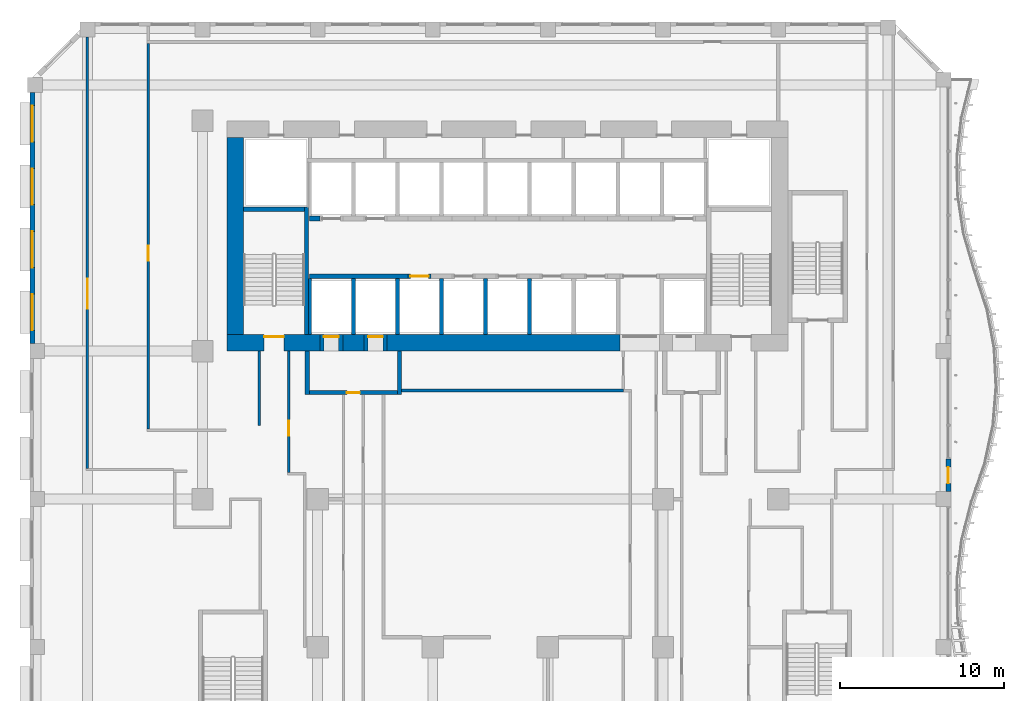
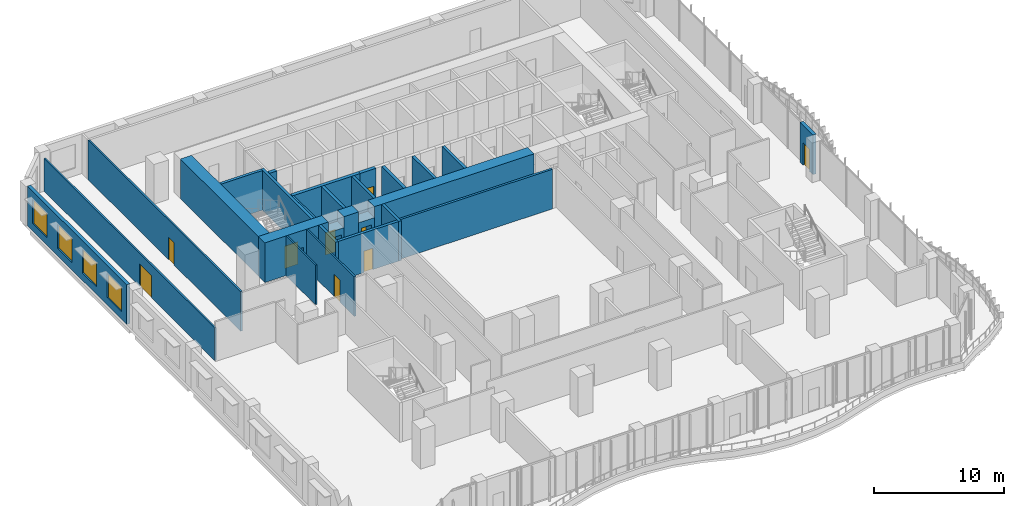
# One storey, part 12 of 27: 27 walls, 9 doors, 4 windows, 13 openings.
"""IFC4 building model written with IfcOpenShell, lengths in metres."""

from ifc_helpers import new_model, si_unit, direction, frame, frame_2d, origin, place, context, subcontext, project, spatial, rectangle, extrude, source, transform, mapped, material, layer, layer_set, type_object, element, fill, save


model = new_model("IFC4")

# Units and contexts
model_context = context("Model", 3, precision=1e-05, world=origin(), true_north=direction((0.0, 1.0)))
body_context = subcontext(model_context, "Body", "Model", "MODEL_VIEW")
ifc_project = project(units=[si_unit("LENGTHUNIT", "METRE"), si_unit("AREAUNIT", "SQUARE_METRE"), si_unit("VOLUMEUNIT", "CUBIC_METRE"), si_unit("PLANEANGLEUNIT", "RADIAN"), si_unit("MASSUNIT", "GRAM", prefix="KILO")], contexts=[model_context])

# Site, building, storey
site_placement = place(None, origin())
site = spatial("IfcSite", under=ifc_project, at=site_placement, CompositionType="ELEMENT")
building_placement = place(site_placement, origin())
building = spatial("IfcBuilding", under=site, at=building_placement, Name="Kilnfold Tower and Market Hall", CompositionType="ELEMENT")
storey_placement = place(building_placement, frame((0.0, 0.0, 47.0)))
storey = spatial("IfcBuildingStorey", under=building, at=storey_placement, Name="L10", CompositionType="ELEMENT", Elevation=47.0)

# Wall, opening, door
ifc_material_1 = material(Name="Gypsum board on steel studs", Category="steel")
ifc_layer_1 = layer(ifc_material_1, 0.14990234375)
ifc_layer_set_1 = layer_set([ifc_layer_1], Name="Gypsum board on steel studs")
wall_type_1 = type_object("IfcWallType", Name="WALL CORRIDOR 150", PredefinedType="PARTITIONING", material=ifc_layer_set_1)
wall_1_placement = place(storey_placement, frame((-20.800048828125, 3.27490234375, 0.0), z_axis=(0.0, 0.0, 1.0), x_axis=(0.0, 1.0, 0.0)))
wall_1 = element("IfcWall", 1, at=wall_1_placement, inside=storey, type_object=wall_type_1, Name="Partition LY09.1", PredefinedType="PARTITIONING", context=body_context, shape_type="SweptSolid", body=[
    extrude(rectangle(XDim=23.43505859375, YDim=0.14990234375, at=frame_2d((11.717529296875, 0.0))), origin(), (0.0, 0.0, 1.0), 3.719970703125),
])
opening_1_placement = place(wall_1_placement, frame((10.216064453125, 0.0, 0.0)))
opening_1 = element("IfcOpeningElement", 2, at=opening_1_placement, cuts=wall_1, Name="Opening D3", PredefinedType="OPENING", context=body_context, shape_type="SweptSolid", body=[
    extrude(rectangle(XDim=0.89990234375, YDim=2.10009765625, at=frame_2d((0.449951171875, 1.050048828125))), frame((0.0, 0.0849609375, 0.0), z_axis=(0.0, -1.0, 0.0), x_axis=(1.0, 0.0, 0.0)), (0.0, 0.0, 1.0), 0.169921875),
])
ifc_material_2 = material(Name="Timber veneer door leaf in steel frame", Category="steel")
door_type_1 = type_object("IfcDoorType", Name="DOOR WC 900 X2100", OperationType="NOTDEFINED", PredefinedType="DOOR", material=ifc_material_2)
door_1_placement = place(opening_1_placement, origin())
door_1 = element("IfcDoor", 3, at=door_1_placement, inside=storey, type_object=door_type_1, Name="Door D3", OperationType="SINGLE_SWING_LEFT", OverallHeight=2.10009765625, OverallWidth=0.89990234375, PredefinedType="DOOR", context=body_context, shape_type="SweptSolid", body=[
    extrude(rectangle(XDim=0.89990234375, YDim=2.10009765625, at=frame_2d((0.449951171875, 1.050048828125))), frame((0.0, 0.02490234375, 0.0), z_axis=(0.0, -1.0, 0.0), x_axis=(1.0, 0.0, 0.0)), (0.0, 0.0, 1.0), 0.050048828125),
])
fill(opening_1, door_1)

# Wall
wall_2_placement = place(storey_placement, frame((-14.050048828125, 8.0, 0.0), z_axis=(0.0, 0.0, 1.0), x_axis=(0.0, -1.0, 0.0)))
element("IfcWall", 4, at=wall_2_placement, inside=storey, type_object=wall_type_1, Name="Partition LY09.3", PredefinedType="PARTITIONING", context=body_context, shape_type="SweptSolid", body=[
    extrude(rectangle(XDim=4.510009765625, YDim=0.14990234375, at=frame_2d((2.2548828125, 0.0))), origin(), (0.0, 0.0, 1.0), 3.719970703125),
])

# Wall, opening, door
wall_3_placement = place(storey_placement, frame((-12.25, 0.625, 0.0), z_axis=(0.0, 0.0, 1.0), x_axis=(0.0, 1.0, 0.0)))
wall_3 = element("IfcWall", 5, at=wall_3_placement, inside=storey, type_object=wall_type_1, Name="Partition LY09.4", PredefinedType="PARTITIONING", context=body_context, shape_type="SweptSolid", body=[
    extrude(rectangle(XDim=7.375, YDim=0.14990234375, at=frame_2d((3.6875, 0.0))), origin(), (0.0, 0.0, 1.0), 3.719970703125),
])
opening_2_placement = place(wall_3_placement, frame((2.22509765625, 0.0, 0.0)))
opening_2 = element("IfcOpeningElement", 6, at=opening_2_placement, cuts=wall_3, Name="Opening D3", PredefinedType="OPENING", context=body_context, shape_type="SweptSolid", body=[
    extrude(rectangle(XDim=0.89990234375, YDim=2.10009765625, at=frame_2d((0.449951171875, 1.050048828125))), frame((0.0, 0.0849609375, 0.0), z_axis=(0.0, -1.0, 0.0), x_axis=(1.0, 0.0, 0.0)), (0.0, 0.0, 1.0), 0.169921875),
])
door_2_placement = place(opening_2_placement, origin())
door_2 = element("IfcDoor", 7, at=door_2_placement, inside=storey, type_object=door_type_1, Name="Door D3", OperationType="SINGLE_SWING_LEFT", OverallHeight=2.10009765625, OverallWidth=0.89990234375, PredefinedType="DOOR", context=body_context, shape_type="SweptSolid", body=[
    extrude(rectangle(XDim=0.89990234375, YDim=2.10009765625, at=frame_2d((0.449951171875, 1.050048828125))), frame((0.0, 0.02490234375, 0.0), z_axis=(0.0, -1.0, 0.0), x_axis=(1.0, 0.0, 0.0)), (0.0, 0.0, 1.0), 0.050048828125),
])
fill(opening_2, door_2)

wall_4_placement = place(storey_placement, frame((-24.5, 27.10009765625, 0.0), z_axis=(0.0, 0.0, 1.0), x_axis=(0.0, -1.0, 0.0)))
wall_4 = element("IfcWall", 8, at=wall_4_placement, inside=storey, type_object=wall_type_1, Name="Partition LY09.39", PredefinedType="PARTITIONING", context=body_context, shape_type="SweptSolid", body=[
    extrude(rectangle(XDim=26.22509765625, YDim=0.14990234375, at=frame_2d((13.112548828125, 0.0))), origin(), (0.0, 0.0, 1.0), 3.070068359375),
])
opening_3_placement = place(wall_4_placement, frame((14.715087890625, 0.0, 0.0)))
opening_3 = element("IfcOpeningElement", 9, at=opening_3_placement, cuts=wall_4, Name="Opening D5", PredefinedType="OPENING", context=body_context, shape_type="SweptSolid", body=[
    extrude(rectangle(XDim=1.800048828125, YDim=2.10009765625, at=frame_2d((0.89990234375, 1.050048828125))), frame((0.0, 0.0849609375, 0.0), z_axis=(0.0, -1.0, 0.0), x_axis=(1.0, 0.0, 0.0)), (0.0, 0.0, 1.0), 0.169921875),
])
ifc_material_3 = material(Name="Timber veneer door leaf in steel frame", Category="steel")
door_type_2 = type_object("IfcDoorType", Name="DOOR DOUBLE 1800 X2100", OperationType="NOTDEFINED", PredefinedType="DOOR", material=ifc_material_3)
door_3_placement = place(opening_3_placement, origin())
door_3 = element("IfcDoor", 10, at=door_3_placement, inside=storey, type_object=door_type_2, Name="Door D5", OperationType="DOUBLE_DOOR_SINGLE_SWING", OverallHeight=2.10009765625, OverallWidth=1.800048828125, PredefinedType="DOOR", context=body_context, shape_type="SweptSolid", body=[
    extrude(rectangle(XDim=1.800048828125, YDim=2.10009765625, at=frame_2d((0.89990234375, 1.050048828125))), frame((0.0, 0.02490234375, 0.0), z_axis=(0.0, -1.0, 0.0), x_axis=(1.0, 0.0, 0.0)), (0.0, 0.0, 1.0), 0.050048828125),
])
fill(opening_3, door_3)

# Wall
ifc_material_4 = material(Name="Gypsum board on steel studs", Category="steel")
ifc_layer_2 = layer(ifc_material_4, 0.199951171875)
ifc_layer_set_2 = layer_set([ifc_layer_2], Name="Gypsum board on steel studs")
wall_type_2 = type_object("IfcWallType", Name="WALL PARTY 200", PredefinedType="PARTITIONING", material=ifc_layer_set_2)
wall_5_placement = place(storey_placement, frame((-5.39990234375, 5.60009765625, 0.0), z_axis=(0.0, 0.0, 1.0), x_axis=(1.0, 0.0, 0.0)))
element("IfcWall", 11, at=wall_5_placement, inside=storey, type_object=wall_type_2, Name="Partition LY09.75", PredefinedType="PARTITIONING", context=body_context, shape_type="SweptSolid", body=[
    extrude(rectangle(XDim=13.489013671875, YDim=0.199951171875, at=frame_2d((6.74462890625, 0.0))), origin(), (0.0, 0.0, 1.0), 3.719970703125),
])

# Wall, opening, door
ifc_material_5 = material(Name="Concrete C80", Category="concrete")
ifc_layer_3 = layer(ifc_material_5, 1.0)
ifc_layer_set_3 = layer_set([ifc_layer_3], Name="Concrete C80")
wall_type_3 = type_object("IfcWallType", Name="CORE WALL 1000 C80", PredefinedType="SHEAR", material=ifc_layer_set_3)
shared_shape_1 = source(origin(), body_context, "Body", "SweptSolid", [
    extrude(rectangle(XDim=5.6298828125, YDim=1.0, at=frame_2d((2.81494140625, 0.0))), origin(), (0.0, 0.0, 1.0), 3.719970703125),
])
wall_6_placement = place(storey_placement, frame((-16.0, 8.5, 0.0), z_axis=(0.0, 0.0, 1.0), x_axis=(1.0, 0.0, 0.0)))
wall_6 = element("IfcWall", 12, at=wall_6_placement, inside=storey, type_object=wall_type_3, Name="Core outer wall south", PredefinedType="SHEAR", context=body_context, shape_type="MappedRepresentation", body=[
    mapped(shared_shape_1, transform((0.0, 0.0, 0.0))),
])
opening_4_placement = place(wall_6_placement, frame((2.25, 0.0, 0.0)))
opening_4 = element("IfcOpeningElement", 13, at=opening_4_placement, cuts=wall_6, Name="Opening SD1", PredefinedType="OPENING", context=body_context, shape_type="SweptSolid", body=[
    extrude(rectangle(XDim=1.199951171875, YDim=2.10009765625, at=frame_2d((0.60009765625, 1.050048828125))), frame((0.0, 0.510009765625, 0.0), z_axis=(0.0, -1.0, 0.0), x_axis=(1.0, 0.0, 0.0)), (0.0, 0.0, 1.0), 1.02001953125),
])
ifc_material_6 = material(Name="Steel door set with fire-resisting leaf", Category="steel")
door_type_3 = type_object("IfcDoorType", Name="STAIR FLOOR DOOR 1200X2100", OperationType="NOTDEFINED", PredefinedType="DOOR", material=ifc_material_6)
door_4_placement = place(opening_4_placement, origin())
door_4 = element("IfcDoor", 14, at=door_4_placement, inside=storey, type_object=door_type_3, Name="Exit stair ST1 door", OperationType="DOUBLE_DOOR_SINGLE_SWING", OverallHeight=2.10009765625, OverallWidth=1.199951171875, PredefinedType="DOOR", context=body_context, shape_type="SweptSolid", body=[
    extrude(rectangle(XDim=1.199951171875, YDim=2.10009765625, at=frame_2d((0.60009765625, 1.050048828125))), frame((0.0, 0.40478515625, 0.0), z_axis=(0.0, -1.0, 0.0), x_axis=(1.0, 0.0, 0.0)), (0.0, 0.0, 1.0), 0.050048828125),
])
fill(opening_4, door_4)

# Walls
shared_shape_2 = source(origin(), body_context, "Body", "SweptSolid", [
    extrude(rectangle(XDim=1.280029296875, YDim=1.0, at=frame_2d((0.64013671875, 0.0))), origin(), (0.0, 0.0, 1.0), 3.719970703125),
])
wall_7_placement = place(storey_placement, frame((-8.969970703125, 8.5, 0.0), z_axis=(0.0, 0.0, 1.0), x_axis=(1.0, 0.0, 0.0)))
element("IfcWall", 15, at=wall_7_placement, inside=storey, type_object=wall_type_3, Name="Core outer wall south", PredefinedType="SHEAR", context=body_context, shape_type="MappedRepresentation", body=[
    mapped(shared_shape_2, transform((0.0, 0.0, 0.0))),
])
shared_shape_3 = source(origin(), body_context, "Body", "SweptSolid", [
    extrude(rectangle(XDim=14.179931640625, YDim=1.0, at=frame_2d((7.08984375, 0.0))), origin(), (0.0, 0.0, 1.0), 3.719970703125),
])
wall_8_placement = place(storey_placement, frame((-6.2900390625, 8.5, 0.0), z_axis=(0.0, 0.0, 1.0), x_axis=(1.0, 0.0, 0.0)))
element("IfcWall", 16, at=wall_8_placement, inside=storey, type_object=wall_type_3, Name="Core outer wall south", PredefinedType="SHEAR", context=body_context, shape_type="MappedRepresentation", body=[
    mapped(shared_shape_3, transform((0.0, 0.0, 0.0))),
])
shared_shape_4 = source(origin(), body_context, "Body", "SweptSolid", [
    extrude(rectangle(XDim=12.0, YDim=1.0, at=frame_2d((6.0, 0.0))), origin(), (0.0, 0.0, 1.0), 3.719970703125),
])
wall_9_placement = place(storey_placement, frame((-15.5, 9.0, 0.0), z_axis=(0.0, 0.0, 1.0), x_axis=(0.0, 1.0, 0.0)))
element("IfcWall", 17, at=wall_9_placement, inside=storey, type_object=wall_type_3, Name="Core outer wall west", PredefinedType="SHEAR", context=body_context, shape_type="MappedRepresentation", body=[
    mapped(shared_shape_4, transform((0.0, 0.0, 0.0))),
])
ifc_material_7 = material(Name="Concrete C80", Category="concrete")
ifc_layer_4 = layer(ifc_material_7, 0.25)
ifc_layer_set_4 = layer_set([ifc_layer_4], Name="Concrete C80")
wall_type_4 = type_object("IfcWallType", Name="CORE WALL 250 C80", PredefinedType="SHEAR", material=ifc_layer_set_4)
shared_shape_5 = source(origin(), body_context, "Body", "SweptSolid", [
    extrude(rectangle(XDim=7.75, YDim=0.25, at=frame_2d((3.875, 0.0))), origin(), (0.0, 0.0, 1.0), 3.719970703125),
])
wall_10_placement = place(storey_placement, frame((-11.175048828125, 9.0, 0.0), z_axis=(0.0, 0.0, 1.0), x_axis=(0.0, 1.0, 0.0)))
element("IfcWall", 18, at=wall_10_placement, inside=storey, type_object=wall_type_4, Name="Stair enclosure ST1", PredefinedType="SHEAR", context=body_context, shape_type="MappedRepresentation", body=[
    mapped(shared_shape_5, transform((0.0, 0.0, 0.0))),
])
shared_shape_6 = source(origin(), body_context, "Body", "SweptSolid", [
    extrude(rectangle(XDim=3.699951171875, YDim=0.25, at=frame_2d((1.85009765625, 0.0))), origin(), (0.0, 0.0, 1.0), 3.719970703125),
])
wall_11_placement = place(storey_placement, frame((-15.0, 16.625, 0.0), z_axis=(0.0, 0.0, 1.0), x_axis=(1.0, 0.0, 0.0)))
element("IfcWall", 19, at=wall_11_placement, inside=storey, type_object=wall_type_4, Name="Stair enclosure ST1", PredefinedType="SHEAR", context=body_context, shape_type="MappedRepresentation", body=[
    mapped(shared_shape_6, transform((0.0, 0.0, 0.0))),
])
ifc_material_8 = material(Name="Concrete C80", Category="concrete")
ifc_layer_5 = layer(ifc_material_8, 0.300048828125)
ifc_layer_set_5 = layer_set([ifc_layer_5], Name="Concrete C80")
wall_type_5 = type_object("IfcWallType", Name="CORE WALL 300 C80", PredefinedType="SHEAR", material=ifc_layer_set_5)
shared_shape_7 = source(origin(), body_context, "Body", "SweptSolid", [
    extrude(rectangle(XDim=6.0, YDim=0.300048828125, at=frame_2d((3.0, 0.0))), origin(), (0.0, 0.0, 1.0), 3.719970703125),
])
wall_12_placement = place(storey_placement, frame((-11.010009765625, 12.550048828125, 0.0), z_axis=(0.0, 0.0, 1.0), x_axis=(1.0, 0.0, 0.0)))
element("IfcWall", 20, at=wall_12_placement, inside=storey, type_object=wall_type_5, Name="Core spine wall", PredefinedType="SHEAR", context=body_context, shape_type="MappedRepresentation", body=[
    mapped(shared_shape_7, transform((0.0, 0.0, 0.0))),
])
shared_shape_8 = source(origin(), body_context, "Body", "SweptSolid", [
    extrude(rectangle(XDim=0.639892578125, YDim=0.300048828125, at=frame_2d((0.31982421875, 0.0))), origin(), (0.0, 0.0, 1.0), 3.719970703125),
])
wall_13_placement = place(storey_placement, frame((-11.010009765625, 16.050048828125, 0.0), z_axis=(0.0, 0.0, 1.0), x_axis=(1.0, 0.0, 0.0)))
element("IfcWall", 21, at=wall_13_placement, inside=storey, type_object=wall_type_5, Name="Core spine wall", PredefinedType="SHEAR", context=body_context, shape_type="MappedRepresentation", body=[
    mapped(shared_shape_8, transform((0.0, 0.0, 0.0))),
])

# Wall, opening, door
ifc_material_9 = material(Name="Precast concrete C50/60", Category="concrete")
ifc_layer_6 = layer(ifc_material_9, 0.300048828125)
ifc_layer_set_6 = layer_set([ifc_layer_6], Name="Precast concrete C50/60")
wall_type_6 = type_object("IfcWallType", Name="PRECAST WALL 300", PredefinedType="SOLIDWALL", material=ifc_layer_set_6)
shared_shape_9 = source(origin(), body_context, "Body", "SweptSolid", [
    extrude(rectangle(XDim=2.0, YDim=0.300048828125, at=frame_2d((1.0, 0.0))), origin(), (0.0, 0.0, 1.0), 3.719970703125),
])
wall_14_placement = place(storey_placement, frame((27.85009765625, -0.550048828125, 0.0), z_axis=(0.0, 0.0, 1.0), x_axis=(0.0, 1.0, 0.0)))
wall_14 = element("IfcWall", 22, at=wall_14_placement, inside=storey, type_object=wall_type_6, Name="External wall L10 E", PredefinedType="SOLIDWALL", context=body_context, shape_type="MappedRepresentation", body=[
    mapped(shared_shape_9, transform((0.0, 0.0, 0.0))),
])
opening_5_placement = place(wall_14_placement, frame((0.5, 0.0, 0.0)))
opening_5 = element("IfcOpeningElement", 23, at=opening_5_placement, cuts=wall_14, Name="Opening BD1", PredefinedType="OPENING", context=body_context, shape_type="SweptSolid", body=[
    extrude(rectangle(XDim=1.0, YDim=2.10009765625, at=frame_2d((0.5, 1.050048828125))), frame((0.0, 0.16015625, 0.0), z_axis=(0.0, -1.0, 0.0), x_axis=(1.0, 0.0, 0.0)), (0.0, 0.0, 1.0), 0.320068359375),
])
ifc_material_10 = material(Name="Aluminium frame and double glazing", Category="aluminium")
door_type_4 = type_object("IfcDoorType", Name="BALCONY DOOR 1000X2100", OperationType="NOTDEFINED", PredefinedType="DOOR", material=ifc_material_10)
door_5_placement = place(opening_5_placement, origin())
door_5 = element("IfcDoor", 24, at=door_5_placement, inside=storey, type_object=door_type_4, Name="Balcony door BD1 L10 E-1", OperationType="SINGLE_SWING_LEFT", OverallHeight=2.10009765625, OverallWidth=1.0, PredefinedType="DOOR", context=body_context, shape_type="SweptSolid", body=[
    extrude(rectangle(XDim=1.0, YDim=2.10009765625, at=frame_2d((0.5, 1.050048828125))), frame((0.0, 0.02490234375, 0.0), z_axis=(0.0, -1.0, 0.0), x_axis=(1.0, 0.0, 0.0)), (0.0, 0.0, 1.0), 0.050048828125),
])
fill(opening_5, door_5)

# Wall, openings, windows
shared_shape_10 = source(origin(), body_context, "Body", "SweptSolid", [
    extrude(rectangle(XDim=15.28173828125, YDim=0.300048828125, at=frame_2d((7.640869140625, 0.0))), origin(), (0.0, 0.0, 1.0), 3.719970703125),
])
wall_15_placement = place(storey_placement, frame((-27.85009765625, 23.731689453125, 0.0), z_axis=(0.0, 0.0, 1.0), x_axis=(0.0, -1.0, 0.0)))
wall_15 = element("IfcWall", 25, at=wall_15_placement, inside=storey, type_object=wall_type_6, Name="External wall L10 W", PredefinedType="SOLIDWALL", context=body_context, shape_type="MappedRepresentation", body=[
    mapped(shared_shape_10, transform((0.0, 0.0, 0.0))),
])
opening_6_placement = place(wall_15_placement, frame((0.810302734375, 0.0, 0.699951171875)))
opening_6 = element("IfcOpeningElement", 26, at=opening_6_placement, cuts=wall_15, Name="Opening W1", PredefinedType="OPENING", context=body_context, shape_type="SweptSolid", body=[
    extrude(rectangle(XDim=2.199951171875, YDim=2.25, at=frame_2d((1.10009765625, 1.125))), frame((0.0, 0.16015625, 0.0), z_axis=(0.0, -1.0, 0.0), x_axis=(1.0, 0.0, 0.0)), (0.0, 0.0, 1.0), 0.320068359375),
])
opening_7_placement = place(wall_15_placement, frame((4.630615234375, 0.0, 0.699951171875)))
opening_7 = element("IfcOpeningElement", 27, at=opening_7_placement, cuts=wall_15, Name="Opening W1", PredefinedType="OPENING", context=body_context, shape_type="SweptSolid", body=[
    extrude(rectangle(XDim=2.199951171875, YDim=2.25, at=frame_2d((1.10009765625, 1.125))), frame((0.0, 0.16015625, 0.0), z_axis=(0.0, -1.0, 0.0), x_axis=(1.0, 0.0, 0.0)), (0.0, 0.0, 1.0), 0.320068359375),
])
opening_8_placement = place(wall_15_placement, frame((8.451171875, 0.0, 0.699951171875)))
opening_8 = element("IfcOpeningElement", 28, at=opening_8_placement, cuts=wall_15, Name="Opening W1", PredefinedType="OPENING", context=body_context, shape_type="SweptSolid", body=[
    extrude(rectangle(XDim=2.199951171875, YDim=2.25, at=frame_2d((1.10009765625, 1.125))), frame((0.0, 0.16015625, 0.0), z_axis=(0.0, -1.0, 0.0), x_axis=(1.0, 0.0, 0.0)), (0.0, 0.0, 1.0), 0.320068359375),
])
opening_9_placement = place(wall_15_placement, frame((12.271484375, 0.0, 0.699951171875)))
opening_9 = element("IfcOpeningElement", 29, at=opening_9_placement, cuts=wall_15, Name="Opening W1", PredefinedType="OPENING", context=body_context, shape_type="SweptSolid", body=[
    extrude(rectangle(XDim=2.199951171875, YDim=2.25, at=frame_2d((1.10009765625, 1.125))), frame((0.0, 0.16015625, 0.0), z_axis=(0.0, -1.0, 0.0), x_axis=(1.0, 0.0, 0.0)), (0.0, 0.0, 1.0), 0.320068359375),
])
ifc_material_11 = material(Name="Aluminium frame and double glazing", Category="aluminium")
window_type = type_object("IfcWindowType", Name="WINDOW W1 2200X2250", PartitioningType="SINGLE_PANEL", PredefinedType="WINDOW", material=ifc_material_11)
window_1_placement = place(opening_6_placement, origin())
window_1 = element("IfcWindow", 30, at=window_1_placement, inside=storey, type_object=window_type, Name="Window W1 L10 W-1", OverallHeight=2.25, OverallWidth=2.199951171875, PartitioningType="SINGLE_PANEL", PredefinedType="WINDOW", context=body_context, shape_type="SweptSolid", body=[
    extrude(rectangle(XDim=2.199951171875, YDim=2.25, at=frame_2d((1.10009765625, 1.125))), frame((0.0, 0.030029296875, 0.0), z_axis=(0.0, -1.0, 0.0), x_axis=(1.0, 0.0, 0.0)), (0.0, 0.0, 1.0), 0.06005859375),
])
fill(opening_6, window_1)
window_2_placement = place(opening_7_placement, origin())
window_2 = element("IfcWindow", 31, at=window_2_placement, inside=storey, type_object=window_type, Name="Window W1 L10 W-2", OverallHeight=2.25, OverallWidth=2.199951171875, PartitioningType="SINGLE_PANEL", PredefinedType="WINDOW", context=body_context, shape_type="SweptSolid", body=[
    extrude(rectangle(XDim=2.199951171875, YDim=2.25, at=frame_2d((1.10009765625, 1.125))), frame((0.0, 0.030029296875, 0.0), z_axis=(0.0, -1.0, 0.0), x_axis=(1.0, 0.0, 0.0)), (0.0, 0.0, 1.0), 0.06005859375),
])
fill(opening_7, window_2)
window_3_placement = place(opening_8_placement, origin())
window_3 = element("IfcWindow", 32, at=window_3_placement, inside=storey, type_object=window_type, Name="Window W1 L10 W-3", OverallHeight=2.25, OverallWidth=2.199951171875, PartitioningType="SINGLE_PANEL", PredefinedType="WINDOW", context=body_context, shape_type="SweptSolid", body=[
    extrude(rectangle(XDim=2.199951171875, YDim=2.25, at=frame_2d((1.10009765625, 1.125))), frame((0.0, 0.030029296875, 0.0), z_axis=(0.0, -1.0, 0.0), x_axis=(1.0, 0.0, 0.0)), (0.0, 0.0, 1.0), 0.06005859375),
])
fill(opening_8, window_3)
window_4_placement = place(opening_9_placement, origin())
window_4 = element("IfcWindow", 33, at=window_4_placement, inside=storey, type_object=window_type, Name="Window W1 L10 W-4", OverallHeight=2.25, OverallWidth=2.199951171875, PartitioningType="SINGLE_PANEL", PredefinedType="WINDOW", context=body_context, shape_type="SweptSolid", body=[
    extrude(rectangle(XDim=2.199951171875, YDim=2.25, at=frame_2d((1.10009765625, 1.125))), frame((0.0, 0.030029296875, 0.0), z_axis=(0.0, -1.0, 0.0), x_axis=(1.0, 0.0, 0.0)), (0.0, 0.0, 1.0), 0.06005859375),
])
fill(opening_9, window_4)

# Wall, opening, door
ifc_material_12 = material(Name="Gypsum shaft wall system")
ifc_layer_7 = layer(ifc_material_12, 1.0)
ifc_layer_set_7 = layer_set([ifc_layer_7], Name="Gypsum shaft wall system")
wall_type_7 = type_object("IfcWallType", Name="LOBBY WALL 1000", PredefinedType="PARTITIONING", material=ifc_layer_set_7)
shared_shape_11 = source(origin(), body_context, "Body", "SweptSolid", [
    extrude(rectangle(XDim=1.400146484375, YDim=1.0, at=frame_2d((0.7001953125, 0.0))), origin(), (0.0, 0.0, 1.0), 2.699951171875),
])
wall_16_placement = place(storey_placement, frame((-10.3701171875, 8.5, 0.0), z_axis=(0.0, 0.0, 1.0), x_axis=(1.0, 0.0, 0.0)))
wall_16 = element("IfcWall", 34, at=wall_16_placement, inside=storey, type_object=wall_type_7, Name="Core wall infill", PredefinedType="PARTITIONING", context=body_context, shape_type="MappedRepresentation", body=[
    mapped(shared_shape_11, transform((0.0, 0.0, 0.0))),
])
opening_10_placement = place(wall_16_placement, frame((0.25, 0.0, 0.0)))
opening_10 = element("IfcOpeningElement", 35, at=opening_10_placement, cuts=wall_16, Name="Opening LD1", PredefinedType="OPENING", context=body_context, shape_type="SweptSolid", body=[
    extrude(rectangle(XDim=0.89990234375, YDim=2.10009765625, at=frame_2d((0.449951171875, 1.050048828125))), frame((0.0, 0.510009765625, 0.0), z_axis=(0.0, -1.0, 0.0), x_axis=(1.0, 0.0, 0.0)), (0.0, 0.0, 1.0), 1.02001953125),
])
ifc_material_13 = material(Name="Steel door set with fire-resisting leaf", Category="steel")
door_type_5 = type_object("IfcDoorType", Name="FIREFIGHTING LANDING DOOR 900X2100", OperationType="NOTDEFINED", PredefinedType="DOOR", material=ifc_material_13)
door_6_placement = place(opening_10_placement, origin())
door_6 = element("IfcDoor", 36, at=door_6_placement, inside=storey, type_object=door_type_5, Name="Landing door FF1", OperationType="SLIDING_TO_LEFT", OverallHeight=2.10009765625, OverallWidth=0.89990234375, PredefinedType="DOOR", context=body_context, shape_type="SweptSolid", body=[
    extrude(rectangle(XDim=0.89990234375, YDim=2.10009765625, at=frame_2d((0.449951171875, 1.050048828125))), frame((0.0, 0.40478515625, 0.0), z_axis=(0.0, -1.0, 0.0), x_axis=(1.0, 0.0, 0.0)), (0.0, 0.0, 1.0), 0.050048828125),
])
fill(opening_10, door_6)

shared_shape_12 = source(origin(), body_context, "Body", "SweptSolid", [
    extrude(rectangle(XDim=1.39990234375, YDim=1.0, at=frame_2d((0.699951171875, 0.0))), origin(), (0.0, 0.0, 1.0), 2.699951171875),
])
wall_17_placement = place(storey_placement, frame((-7.68994140625, 8.5, 0.0), z_axis=(0.0, 0.0, 1.0), x_axis=(1.0, 0.0, 0.0)))
wall_17 = element("IfcWall", 37, at=wall_17_placement, inside=storey, type_object=wall_type_7, Name="Core wall infill", PredefinedType="PARTITIONING", context=body_context, shape_type="MappedRepresentation", body=[
    mapped(shared_shape_12, transform((0.0, 0.0, 0.0))),
])
opening_11_placement = place(wall_17_placement, frame((0.25, 0.0, 0.0)))
opening_11 = element("IfcOpeningElement", 38, at=opening_11_placement, cuts=wall_17, Name="Opening LD1", PredefinedType="OPENING", context=body_context, shape_type="SweptSolid", body=[
    extrude(rectangle(XDim=0.89990234375, YDim=2.10009765625, at=frame_2d((0.449951171875, 1.050048828125))), frame((0.0, 0.510009765625, 0.0), z_axis=(0.0, -1.0, 0.0), x_axis=(1.0, 0.0, 0.0)), (0.0, 0.0, 1.0), 1.02001953125),
])
door_7_placement = place(opening_11_placement, origin())
door_7 = element("IfcDoor", 39, at=door_7_placement, inside=storey, type_object=door_type_5, Name="Landing door FF2", OperationType="SLIDING_TO_RIGHT", OverallHeight=2.10009765625, OverallWidth=0.89990234375, PredefinedType="DOOR", context=body_context, shape_type="SweptSolid", body=[
    extrude(rectangle(XDim=0.89990234375, YDim=2.10009765625, at=frame_2d((0.449951171875, 1.050048828125))), frame((0.0, 0.40478515625, 0.0), z_axis=(0.0, -1.0, 0.0), x_axis=(1.0, 0.0, 0.0)), (0.0, 0.0, 1.0), 0.050048828125),
])
fill(opening_11, door_7)

ifc_material_14 = material(Name="Gypsum shaft wall system")
ifc_layer_8 = layer(ifc_material_14, 0.300048828125)
ifc_layer_set_8 = layer_set([ifc_layer_8], Name="Gypsum shaft wall system")
wall_type_8 = type_object("IfcWallType", Name="SHAFT WALL 300", PredefinedType="PARTITIONING", material=ifc_layer_set_8)
shared_shape_13 = source(origin(), body_context, "Body", "SweptSolid", [
    extrude(rectangle(XDim=1.39990234375, YDim=0.300048828125, at=frame_2d((0.699951171875, 0.0))), origin(), (0.0, 0.0, 1.0), 3.719970703125),
])
wall_18_placement = place(storey_placement, frame((-5.010009765625, 12.550048828125, 0.0), z_axis=(0.0, 0.0, 1.0), x_axis=(1.0, 0.0, 0.0)))
wall_18 = element("IfcWall", 40, at=wall_18_placement, inside=storey, type_object=wall_type_8, Name="Lift shaft front wall", PredefinedType="PARTITIONING", context=body_context, shape_type="MappedRepresentation", body=[
    mapped(shared_shape_13, transform((0.0, 0.0, 0.0))),
])
opening_12_placement = place(wall_18_placement, frame((0.14990234375, 0.0, 0.0)))
opening_12 = element("IfcOpeningElement", 41, at=opening_12_placement, cuts=wall_18, Name="Opening LD2", PredefinedType="OPENING", context=body_context, shape_type="SweptSolid", body=[
    extrude(rectangle(XDim=1.10009765625, YDim=2.10009765625, at=frame_2d((0.550048828125, 1.050048828125))), frame((0.0, 0.16015625, 0.0), z_axis=(0.0, -1.0, 0.0), x_axis=(1.0, 0.0, 0.0)), (0.0, 0.0, 1.0), 0.320068359375),
])
ifc_material_15 = material(Name="Steel door set with fire-resisting leaf", Category="steel")
door_type_6 = type_object("IfcDoorType", Name="LANDING DOOR 1100X2100", OperationType="NOTDEFINED", PredefinedType="DOOR", material=ifc_material_15)
door_8_placement = place(opening_12_placement, origin())
door_8 = element("IfcDoor", 42, at=door_8_placement, inside=storey, type_object=door_type_6, Name="Landing door LR1", OperationType="DOUBLE_DOOR_SLIDING", OverallHeight=2.10009765625, OverallWidth=1.10009765625, PredefinedType="DOOR", context=body_context, shape_type="SweptSolid", body=[
    extrude(rectangle(XDim=1.10009765625, YDim=2.10009765625, at=frame_2d((0.550048828125, 1.050048828125))), frame((0.0, 0.02490234375, 0.0), z_axis=(0.0, -1.0, 0.0), x_axis=(1.0, 0.0, 0.0)), (0.0, 0.0, 1.0), 0.050048828125),
])
fill(opening_12, door_8)

# Walls
ifc_material_16 = material(Name="Gypsum shaft wall system")
ifc_layer_9 = layer(ifc_material_16, 0.25)
ifc_layer_set_9 = layer_set([ifc_layer_9], Name="Gypsum shaft wall system")
wall_type_9 = type_object("IfcWallType", Name="LOBBY WALL 250", PredefinedType="PARTITIONING", material=ifc_layer_set_9)
shared_shape_14 = source(origin(), body_context, "Body", "SweptSolid", [
    extrude(rectangle(XDim=2.64990234375, YDim=0.25, at=frame_2d((1.324951171875, 0.0))), origin(), (0.0, 0.0, 1.0), 3.719970703125),
])
for number, where, z_axis, x_axis, name in (
    (43, (-11.135009765625, 5.35009765625, 0.0), (0.0, 0.0, 1.0), (0.0, 1.0, 0.0), "Firefighting lobby wall"),
    (44, (-5.52490234375, 5.35009765625, 0.0), (0.0, 0.0, 1.0), (0.0, 1.0, 0.0), "Firefighting lobby wall"),
):
    element("IfcWall", number, at=place(storey_placement, frame(where, z_axis=z_axis, x_axis=x_axis)), inside=storey, type_object=wall_type_9, Name=name, PredefinedType="PARTITIONING", context=body_context, shape_type="MappedRepresentation", body=[
        mapped(shared_shape_14, transform((0.0, 0.0, 0.0))),
    ])

# Wall, opening, door
shared_shape_15 = source(origin(), body_context, "Body", "SweptSolid", [
    extrude(rectangle(XDim=5.360107421875, YDim=0.25, at=frame_2d((2.68017578125, 0.0))), origin(), (0.0, 0.0, 1.0), 3.719970703125),
])
wall_19_placement = place(storey_placement, frame((-11.010009765625, 5.47509765625, 0.0), z_axis=(0.0, 0.0, 1.0), x_axis=(1.0, 0.0, 0.0)))
wall_19 = element("IfcWall", 45, at=wall_19_placement, inside=storey, type_object=wall_type_9, Name="Firefighting lobby wall", PredefinedType="PARTITIONING", context=body_context, shape_type="MappedRepresentation", body=[
    mapped(shared_shape_15, transform((0.0, 0.0, 0.0))),
])
opening_13_placement = place(wall_19_placement, frame((2.280029296875, 0.0, 0.0)))
opening_13 = element("IfcOpeningElement", 46, at=opening_13_placement, cuts=wall_19, Name="Opening VD1", PredefinedType="OPENING", context=body_context, shape_type="SweptSolid", body=[
    extrude(rectangle(XDim=0.800048828125, YDim=2.0, at=frame_2d((0.39990234375, 1.0))), frame((0.0, 0.135009765625, 0.0), z_axis=(0.0, -1.0, 0.0), x_axis=(1.0, 0.0, 0.0)), (0.0, 0.0, 1.0), 0.27001953125),
])
ifc_material_17 = material(Name="Steel door set with fire-resisting leaf", Category="steel")
door_type_7 = type_object("IfcDoorType", Name="FIREFIGHTING LOBBY DOOR 800X2000", OperationType="NOTDEFINED", PredefinedType="DOOR", material=ifc_material_17)
door_9_placement = place(opening_13_placement, origin())
door_9 = element("IfcDoor", 47, at=door_9_placement, inside=storey, type_object=door_type_7, Name="Firefighting lobby door", OperationType="SINGLE_SWING_LEFT", OverallHeight=2.0, OverallWidth=0.800048828125, PredefinedType="DOOR", context=body_context, shape_type="SweptSolid", body=[
    extrude(rectangle(XDim=0.800048828125, YDim=2.0, at=frame_2d((0.39990234375, 1.0))), frame((0.0, 0.02490234375, 0.0), z_axis=(0.0, -1.0, 0.0), x_axis=(1.0, 0.0, 0.0)), (0.0, 0.0, 1.0), 0.050048828125),
])
fill(opening_13, door_9)

# Walls
ifc_material_18 = material(Name="Gypsum shaft wall system")
ifc_layer_10 = layer(ifc_material_18, 0.25)
ifc_layer_set_10 = layer_set([ifc_layer_10], Name="Gypsum shaft wall system")
wall_type_10 = type_object("IfcWallType", Name="SHAFT WALL 250", PredefinedType="PARTITIONING", material=ifc_layer_set_10)
shared_shape_16 = source(origin(), body_context, "Body", "SweptSolid", [
    extrude(rectangle(XDim=3.39990234375, YDim=0.25, at=frame_2d((1.699951171875, 0.0))), origin(), (0.0, 0.0, 1.0), 3.719970703125),
])
for number, where, z_axis, x_axis, name in (
    (48, (2.389892578125, 9.0, 0.0), (0.0, 0.0, 1.0), (0.0, 1.0, 0.0), "Lift shaft wall"),
    (49, (-0.2900390625, 9.0, 0.0), (0.0, 0.0, 1.0), (0.0, 1.0, 0.0), "Lift shaft wall"),
    (50, (-2.969970703125, 9.0, 0.0), (0.0, 0.0, 1.0), (0.0, 1.0, 0.0), "Lift shaft wall"),
    (51, (-5.64990234375, 9.0, 0.0), (0.0, 0.0, 1.0), (0.0, 1.0, 0.0), "Lift shaft wall"),
    (52, (-8.330078125, 9.0, 0.0), (0.0, 0.0, 1.0), (0.0, 1.0, 0.0), "Lift shaft wall"),
):
    element("IfcWall", number, at=place(storey_placement, frame(where, z_axis=z_axis, x_axis=x_axis)), inside=storey, type_object=wall_type_10, Name=name, PredefinedType="PARTITIONING", context=body_context, shape_type="MappedRepresentation", body=[
        mapped(shared_shape_16, transform((0.0, 0.0, 0.0))),
    ])
ifc_material_19 = material(Name="Gypsum shaft wall system")
ifc_layer_11 = layer(ifc_material_19, 0.1650390625)
ifc_layer_set_11 = layer_set([ifc_layer_11], Name="Gypsum shaft wall system")
wall_type_11 = type_object("IfcWallType", Name="SHAFT WALL 165", PredefinedType="PARTITIONING", material=ifc_layer_set_11)
shared_shape_17 = source(origin(), body_context, "Body", "SweptSolid", [
    extrude(rectangle(XDim=3.39990234375, YDim=0.1650390625, at=frame_2d((1.699951171875, 0.0))), origin(), (0.0, 0.0, 1.0), 3.719970703125),
])
wall_20_placement = place(storey_placement, frame((-10.967529296875, 9.0, 0.0), z_axis=(0.0, 0.0, 1.0), x_axis=(0.0, 1.0, 0.0)))
element("IfcWall", 53, at=wall_20_placement, inside=storey, type_object=wall_type_11, Name="Lift shaft wall", PredefinedType="PARTITIONING", context=body_context, shape_type="MappedRepresentation", body=[
    mapped(shared_shape_17, transform((0.0, 0.0, 0.0))),
])

save(model, "model.ifc")
